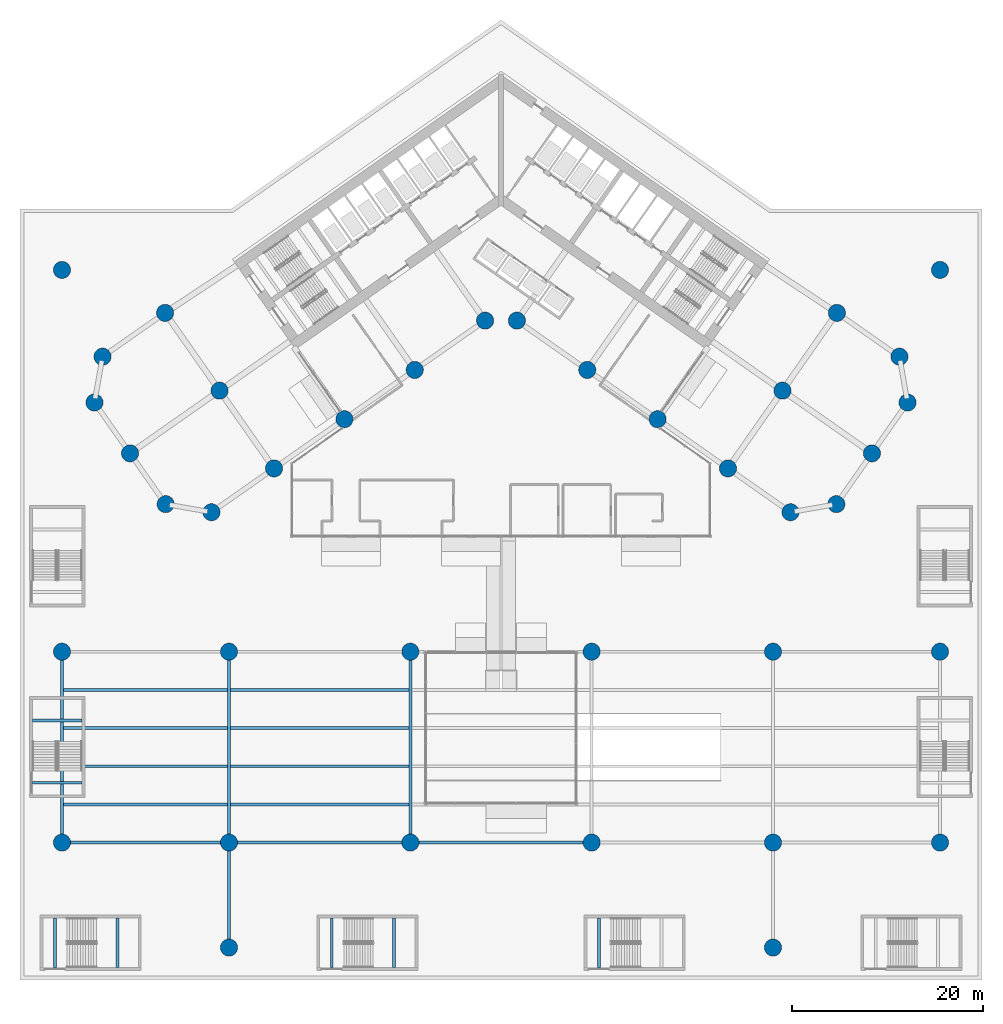
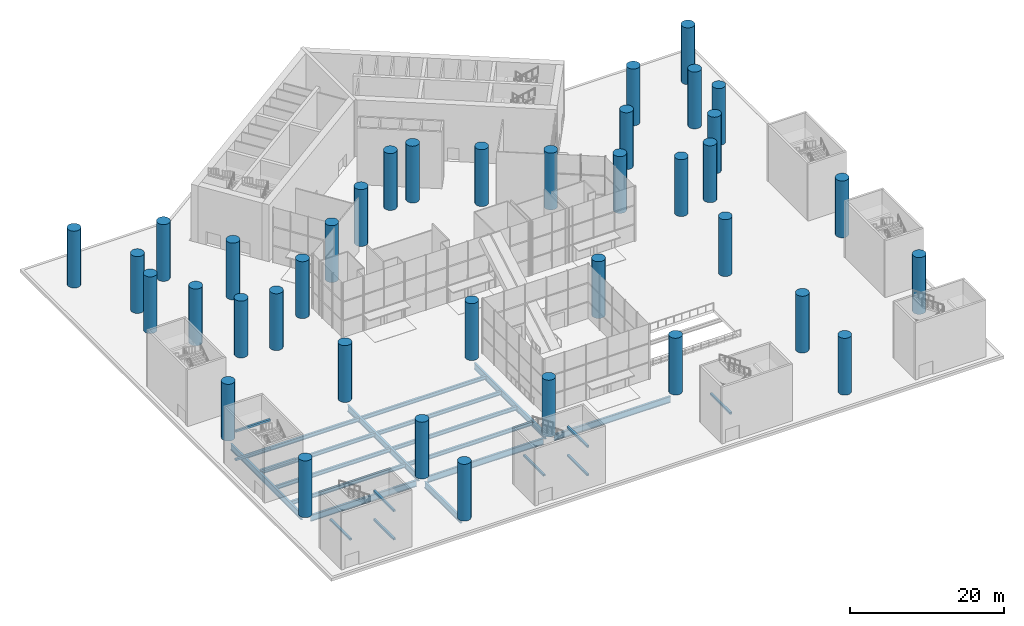
# One storey, part 1 of 37: 38 columns, 25 beams.
"""IFC4 building model written with IfcOpenShell, lengths in metres."""

from ifc_helpers import new_model, si_unit, direction, frame, origin, origin_2d, place, context, subcontext, project, spatial, rectangle, circle, i_section, extrude, material, material_profile, profile_set, type_object, element, save


model = new_model("IFC4")

# Units and contexts
model_context = context("Model", 3, precision=1e-05, world=origin(), true_north=direction((0.0, 1.0)))
body_context = subcontext(model_context, "Body", "Model", "MODEL_VIEW")
ifc_project = project(units=[si_unit("LENGTHUNIT", "METRE"), si_unit("AREAUNIT", "SQUARE_METRE"), si_unit("VOLUMEUNIT", "CUBIC_METRE"), si_unit("PLANEANGLEUNIT", "RADIAN"), si_unit("MASSUNIT", "GRAM", prefix="KILO")], contexts=[model_context])

# Site, building, storey
site_placement = place(None, origin())
site = spatial("IfcSite", under=ifc_project, at=site_placement, CompositionType="ELEMENT")
building_placement = place(site_placement, origin())
building = spatial("IfcBuilding", under=site, at=building_placement, Name="Tel Ilan Convention Tower", CompositionType="ELEMENT")
storey_placement = place(building_placement, origin())
storey = spatial("IfcBuildingStorey", under=building, at=storey_placement, Name="L00", CompositionType="ELEMENT", Elevation=0.0)

# Columns
ifc_material_1 = material(Name="Concrete C50/60", Category="concrete")
ifc_material_profile_1 = material_profile(ifc_material_1, circle(Radius=0.89990234375, at=origin_2d()), Name="RC D1800")
ifc_profile_set_1 = profile_set([ifc_material_profile_1], Name="Concrete C50/60")
column_type_1 = type_object("IfcColumnType", Name="Column RC D1800 C50/60", PredefinedType="COLUMN", material=ifc_profile_set_1)
for number, where, z_axis, x_axis, name in (
    (1, (-28.5, -79.0, 0.0), (0.0, 0.0, 1.0), (1.0, 0.0, 0.0), "L00 column PC12"),
    (2, (28.5, -79.0, 0.0), (0.0, 0.0, 1.0), (1.0, 0.0, 0.0), "L00 column PC15"),
    (3, (-46.0, -68.0, 0.0), (0.0, 0.0, 1.0), (1.0, 0.0, 0.0), "L00 column PC21"),
    (4, (-28.5, -68.0, 0.0), (0.0, 0.0, 1.0), (1.0, 0.0, 0.0), "L00 column PC22"),
    (5, (-9.5, -68.0, 0.0), (0.0, 0.0, 1.0), (1.0, 0.0, 0.0), "L00 column PC23"),
    (6, (9.5, -68.0, 0.0), (0.0, 0.0, 1.0), (1.0, 0.0, 0.0), "L00 column PC24"),
    (7, (28.5, -68.0, 0.0), (0.0, 0.0, 1.0), (1.0, 0.0, 0.0), "L00 column PC25"),
    (8, (46.0, -68.0, 0.0), (0.0, 0.0, 1.0), (1.0, 0.0, 0.0), "L00 column PC26"),
    (9, (-46.0, -48.0, 0.0), (0.0, 0.0, 1.0), (1.0, 0.0, 0.0), "L00 column PC31"),
    (10, (-28.5, -48.0, 0.0), (0.0, 0.0, 1.0), (1.0, 0.0, 0.0), "L00 column PC32"),
    (11, (-9.5, -48.0, 0.0), (0.0, 0.0, 1.0), (1.0, 0.0, 0.0), "L00 column PC33"),
    (12, (9.5, -48.0, 0.0), (0.0, 0.0, 1.0), (1.0, 0.0, 0.0), "L00 column PC34"),
    (13, (28.5, -48.0, 0.0), (0.0, 0.0, 1.0), (1.0, 0.0, 0.0), "L00 column PC35"),
    (14, (46.0, -48.0, 0.0), (0.0, 0.0, 1.0), (1.0, 0.0, 0.0), "L00 column PC36"),
    (15, (-46.0, -8.0, 0.0), (0.0, 0.0, 1.0), (1.0, 0.0, 0.0), "L00 column PC51"),
    (16, (46.0, -8.0, 0.0), (0.0, 0.0, 1.0), (1.0, 0.0, 0.0), "L00 column PC56"),
):
    element("IfcColumn", number, at=place(storey_placement, frame(where, z_axis=z_axis, x_axis=x_axis)), inside=storey, type_object=column_type_1, Name=name, PredefinedType="COLUMN", context=body_context, shape_type="SweptSolid", body=[
        extrude(circle(Radius=0.89990234375, at=origin_2d()), origin(), (0.0, 0.0, 1.0), 9.0),
    ])
ifc_material_2 = material(Name="Concrete C60/75", Category="concrete")
ifc_material_profile_2 = material_profile(ifc_material_2, circle(Radius=0.89990234375, at=origin_2d()), Name="RC D1800")
ifc_profile_set_2 = profile_set([ifc_material_profile_2], Name="Concrete C60/75")
column_type_2 = type_object("IfcColumnType", Name="Column RC D1800 C60/75", PredefinedType="COLUMN", material=ifc_profile_set_2)
for number, where, z_axis, x_axis, name in (
    (17, (-1.665283203125, -13.312744140625, 0.0), (0.0, 0.0, 1.0), (-0.819152044289, -0.573576436351, 0.0), "L00 column W-F1"),
    (18, (-9.03759765625, -18.474853515625, 0.0), (0.0, 0.0, 1.0), (-0.819152044289, -0.573576436351, 0.0), "L00 column W-F2"),
    (19, (-16.409912109375, -23.63720703125, 0.0), (0.0, 0.0, 1.0), (-0.819152044289, -0.573576436351, 0.0), "L00 column W-F3"),
    (20, (-23.782470703125, -28.79931640625, 0.0), (0.0, 0.0, 1.0), (-0.819152044289, -0.573576436351, 0.0), "L00 column W-F4"),
    (21, (-30.335693359375, -33.387939453125, 0.0), (0.0, 0.0, 1.0), (-0.819152044289, -0.573576436351, 0.0), "L00 column W-FC"),
    (22, (-35.196533203125, -12.498291015625, 0.0), (0.0, 0.0, 1.0), (-0.819152044289, -0.573576436351, 0.0), "L00 column W-B4"),
    (23, (-41.749755859375, -17.0869140625, 0.0), (0.0, 0.0, 1.0), (-0.819152044289, -0.573576436351, 0.0), "L00 column W-BC"),
    (24, (-35.140380859375, -32.540771484375, 0.0), (0.0, 0.0, 1.0), (-0.573576436351, 0.819152044289, 0.0), "L00 column W-E1"),
    (25, (-38.868896484375, -27.21630859375, 0.0), (0.0, 0.0, 1.0), (-0.573576436351, 0.819152044289, 0.0), "L00 column W-E2"),
    (26, (-42.596923828125, -21.8916015625, 0.0), (0.0, 0.0, 1.0), (-0.573576436351, 0.819152044289, 0.0), "L00 column W-E3"),
    (27, (-29.489501953125, -20.648681640625, 0.0), (0.0, 0.0, 1.0), (-0.819152044289, -0.573576436351, 0.0), "L00 column W-M4"),
    (28, (1.665283203125, -13.312744140625, 0.0), (0.0, 0.0, 1.0), (0.819152044289, -0.573576436351, 0.0), "L00 column E-F1"),
    (29, (9.03759765625, -18.474853515625, 0.0), (0.0, 0.0, 1.0), (0.819152044289, -0.573576436351, 0.0), "L00 column E-F2"),
    (30, (16.409912109375, -23.63720703125, 0.0), (0.0, 0.0, 1.0), (0.819152044289, -0.573576436351, 0.0), "L00 column E-F3"),
    (31, (23.782470703125, -28.79931640625, 0.0), (0.0, 0.0, 1.0), (0.819152044289, -0.573576436351, 0.0), "L00 column E-F4"),
    (32, (30.335693359375, -33.387939453125, 0.0), (0.0, 0.0, 1.0), (0.819152044289, -0.573576436351, 0.0), "L00 column E-FC"),
    (33, (35.196533203125, -12.498291015625, 0.0), (0.0, 0.0, 1.0), (0.819152044289, -0.573576436351, 0.0), "L00 column E-B4"),
    (34, (41.749755859375, -17.0869140625, 0.0), (0.0, 0.0, 1.0), (0.819152044289, -0.573576436351, 0.0), "L00 column E-BC"),
    (35, (35.140380859375, -32.540771484375, 0.0), (0.0, 0.0, 1.0), (0.573576436351, 0.819152044289, 0.0), "L00 column E-E1"),
    (36, (38.868896484375, -27.21630859375, 0.0), (0.0, 0.0, 1.0), (0.573576436351, 0.819152044289, 0.0), "L00 column E-E2"),
    (37, (42.596923828125, -21.8916015625, 0.0), (0.0, 0.0, 1.0), (0.573576436351, 0.819152044289, 0.0), "L00 column E-E3"),
    (38, (29.489501953125, -20.648681640625, 0.0), (0.0, 0.0, 1.0), (0.819152044289, -0.573576436351, 0.0), "L00 column E-M4"),
):
    element("IfcColumn", number, at=place(storey_placement, frame(where, z_axis=z_axis, x_axis=x_axis)), inside=storey, type_object=column_type_2, Name=name, PredefinedType="COLUMN", context=body_context, shape_type="SweptSolid", body=[
        extrude(circle(Radius=0.89990234375, at=origin_2d()), origin(), (0.0, 0.0, 1.0), 9.0),
    ])

# Beams
ifc_material_3 = material(Name="Steel S355", Category="steel")
ifc_material_profile_3 = material_profile(ifc_material_3, i_section(OverallWidth=0.300048828125, OverallDepth=1.0, WebThickness=0.01904296875, FlangeThickness=0.035888671875, FilletRadius=0.030029296875, at=origin_2d()), Name="HEB 1000")
ifc_profile_set_3 = profile_set([ifc_material_profile_3], Name="Steel S355")
beam_type_1 = type_object("IfcBeamType", Name="Girder HEB 1000 Steel S355", PredefinedType="BEAM", material=ifc_profile_set_3)
beam_1_placement = place(storey_placement, frame((-45.199951171875, -68.0, -0.949951171875), z_axis=(1.0, 0.0, 0.0), x_axis=(0.0, 1.0, 0.0)))
element("IfcBeam", 39, at=beam_1_placement, inside=storey, type_object=beam_type_1, Name="L00 beam GX21-2", PredefinedType="BEAM", context=body_context, shape_type="SweptSolid", body=[
    extrude(i_section(OverallWidth=0.300048828125, OverallDepth=1.0, WebThickness=0.01904296875, FlangeThickness=0.035888671875, FilletRadius=0.030029296875, at=origin_2d()), origin(), (0.0, 0.0, 1.0), 15.89990234375),
])
for number, where, z_axis, x_axis, name in (
    (40, (-27.699951171875, -68.0, -0.949951171875), (1.0, 0.0, 0.0), (0.0, 1.0, 0.0), "L00 beam GX22-3"),
    (41, (-8.699951171875, -68.0, -0.949951171875), (1.0, 0.0, 0.0), (0.0, 1.0, 0.0), "L00 beam GX23-4"),
):
    element("IfcBeam", number, at=place(storey_placement, frame(where, z_axis=z_axis, x_axis=x_axis)), inside=storey, type_object=beam_type_1, Name=name, PredefinedType="BEAM", context=body_context, shape_type="SweptSolid", body=[
        extrude(i_section(OverallWidth=0.300048828125, OverallDepth=1.0, WebThickness=0.01904296875, FlangeThickness=0.035888671875, FilletRadius=0.030029296875, at=origin_2d()), origin(), (0.0, 0.0, 1.0), 17.39990234375),
    ])
beam_2_placement = place(storey_placement, frame((-46.0, -67.199951171875, -0.949951171875), z_axis=(0.0, 1.0, 0.0), x_axis=(-1.0, 0.0, 0.0)))
element("IfcBeam", 42, at=beam_2_placement, inside=storey, type_object=beam_type_1, Name="L00 beam GY12-3", PredefinedType="BEAM", context=body_context, shape_type="SweptSolid", body=[
    extrude(i_section(OverallWidth=0.300048828125, OverallDepth=1.0, WebThickness=0.01904296875, FlangeThickness=0.035888671875, FilletRadius=0.030029296875, at=origin_2d()), origin(), (0.0, 0.0, 1.0), 18.39990234375),
])
beam_3_placement = place(storey_placement, frame((-28.5, -78.199951171875, -0.949951171875), z_axis=(0.0, 1.0, 0.0), x_axis=(-1.0, 0.0, 0.0)))
element("IfcBeam", 43, at=beam_3_placement, inside=storey, type_object=beam_type_1, Name="L00 beam GY21-2", PredefinedType="BEAM", context=body_context, shape_type="SweptSolid", body=[
    extrude(i_section(OverallWidth=0.300048828125, OverallDepth=1.0, WebThickness=0.01904296875, FlangeThickness=0.035888671875, FilletRadius=0.030029296875, at=origin_2d()), origin(), (0.0, 0.0, 1.0), 9.39990234375),
])
for number, where, z_axis, x_axis, name in (
    (44, (-28.5, -67.199951171875, -0.949951171875), (0.0, 1.0, 0.0), (-1.0, 0.0, 0.0), "L00 beam GY22-3"),
    (45, (-9.5, -67.199951171875, -0.949951171875), (0.0, 1.0, 0.0), (-1.0, 0.0, 0.0), "L00 beam GY32-3"),
):
    element("IfcBeam", number, at=place(storey_placement, frame(where, z_axis=z_axis, x_axis=x_axis)), inside=storey, type_object=beam_type_1, Name=name, PredefinedType="BEAM", context=body_context, shape_type="SweptSolid", body=[
        extrude(i_section(OverallWidth=0.300048828125, OverallDepth=1.0, WebThickness=0.01904296875, FlangeThickness=0.035888671875, FilletRadius=0.030029296875, at=origin_2d()), origin(), (0.0, 0.0, 1.0), 18.39990234375),
    ])
ifc_material_4 = material(Name="Steel S355", Category="steel")
ifc_material_profile_4 = material_profile(ifc_material_4, i_section(OverallWidth=0.300048828125, OverallDepth=0.60009765625, WebThickness=0.015380859375, FlangeThickness=0.030029296875, FilletRadius=0.027099609375, at=origin_2d()), Name="HEB 600")
ifc_profile_set_4 = profile_set([ifc_material_profile_4], Name="Steel S355")
beam_type_2 = type_object("IfcBeamType", Name="Joist HEB 600 Steel S355", PredefinedType="JOIST", material=ifc_profile_set_4)
for number, where, z_axis, x_axis, name in (
    (46, (-45.860107421875, -64.0, -0.75), (1.0, 0.0, 0.0), (0.0, 1.0, 0.0), "L00 beam J1--68-1"),
    (47, (-45.860107421875, -60.0, -0.75), (1.0, 0.0, 0.0), (0.0, 1.0, 0.0), "L00 beam J1--68-2"),
    (48, (-45.860107421875, -56.0, -0.75), (1.0, 0.0, 0.0), (0.0, 1.0, 0.0), "L00 beam J1--68-3"),
    (49, (-45.860107421875, -52.0, -0.75), (1.0, 0.0, 0.0), (0.0, 1.0, 0.0), "L00 beam J1--68-4"),
):
    element("IfcBeam", number, at=place(storey_placement, frame(where, z_axis=z_axis, x_axis=x_axis)), inside=storey, type_object=beam_type_2, Name=name, PredefinedType="JOIST", context=body_context, shape_type="SweptSolid", body=[
        extrude(i_section(OverallWidth=0.300048828125, OverallDepth=0.60009765625, WebThickness=0.015380859375, FlangeThickness=0.030029296875, FilletRadius=0.027099609375, at=origin_2d()), origin(), (0.0, 0.0, 1.0), 17.22021484375),
    ])
for number, where, z_axis, x_axis, name in (
    (50, (-28.360107421875, -64.0, -0.75), (1.0, 0.0, 0.0), (0.0, 1.0, 0.0), "L00 beam J2--68-1"),
    (51, (-28.360107421875, -60.0, -0.75), (1.0, 0.0, 0.0), (0.0, 1.0, 0.0), "L00 beam J2--68-2"),
    (52, (-28.360107421875, -56.0, -0.75), (1.0, 0.0, 0.0), (0.0, 1.0, 0.0), "L00 beam J2--68-3"),
    (53, (-28.360107421875, -52.0, -0.75), (1.0, 0.0, 0.0), (0.0, 1.0, 0.0), "L00 beam J2--68-4"),
):
    element("IfcBeam", number, at=place(storey_placement, frame(where, z_axis=z_axis, x_axis=x_axis)), inside=storey, type_object=beam_type_2, Name=name, PredefinedType="JOIST", context=body_context, shape_type="SweptSolid", body=[
        extrude(i_section(OverallWidth=0.300048828125, OverallDepth=0.60009765625, WebThickness=0.015380859375, FlangeThickness=0.030029296875, FilletRadius=0.027099609375, at=origin_2d()), origin(), (0.0, 0.0, 1.0), 18.72021484375),
    ])
ifc_material_5 = material(Name="Concrete C40/50", Category="concrete")
ifc_material_profile_5 = material_profile(ifc_material_5, rectangle(XDim=0.300048828125, YDim=0.300048828125, at=origin_2d()), Name="RC 300x300")
ifc_profile_set_5 = profile_set([ifc_material_profile_5], Name="Concrete C40/50")
beam_type_3 = type_object("IfcBeamType", Name="Landing Beam RC 300x300 Concrete C40/50", PredefinedType="BEAM", material=ifc_profile_set_5)
for number, where, z_axis, x_axis, name in (
    (54, (-40.197998046875, -81.10009765625, 1.89990234375), (0.0, 1.0, 0.0), (-1.0, 0.0, 0.0), "P1 landing beam L00.1"),
    (55, (-46.737060546875, -81.10009765625, 4.14990234375), (0.0, 1.0, 0.0), (-1.0, 0.0, 0.0), "P1 landing beam L00.2"),
    (56, (-40.197998046875, -81.10009765625, 6.39990234375), (0.0, 1.0, 0.0), (-1.0, 0.0, 0.0), "P1 landing beam L00.3"),
    (57, (-11.197998046875, -81.10009765625, 1.89990234375), (0.0, 1.0, 0.0), (-1.0, 0.0, 0.0), "P2 landing beam L00.1"),
    (58, (-17.737060546875, -81.10009765625, 4.14990234375), (0.0, 1.0, 0.0), (-1.0, 0.0, 0.0), "P2 landing beam L00.2"),
    (59, (-11.197998046875, -81.10009765625, 6.39990234375), (0.0, 1.0, 0.0), (-1.0, 0.0, 0.0), "P2 landing beam L00.3"),
    (60, (10.262939453125, -81.10009765625, 4.14990234375), (0.0, 1.0, 0.0), (-1.0, 0.0, 0.0), "P3 landing beam L00.2"),
    (61, (-43.89990234375, -55.197998046875, 1.89990234375), (-1.0, 0.0, 0.0), (0.0, -1.0, 0.0), "P5 landing beam L00.1"),
    (62, (-43.89990234375, -61.737060546875, 4.14990234375), (-1.0, 0.0, 0.0), (0.0, -1.0, 0.0), "P5 landing beam L00.2"),
    (63, (-43.89990234375, -55.197998046875, 6.39990234375), (-1.0, 0.0, 0.0), (0.0, -1.0, 0.0), "P5 landing beam L00.3"),
):
    element("IfcBeam", number, at=place(storey_placement, frame(where, z_axis=z_axis, x_axis=x_axis)), inside=storey, type_object=beam_type_3, Name=name, PredefinedType="BEAM", context=body_context, shape_type="SweptSolid", body=[
        extrude(rectangle(XDim=0.300048828125, YDim=0.300048828125, at=origin_2d()), origin(), (0.0, 0.0, 1.0), 5.2001953125),
    ])

save(model, "model.ifc")
